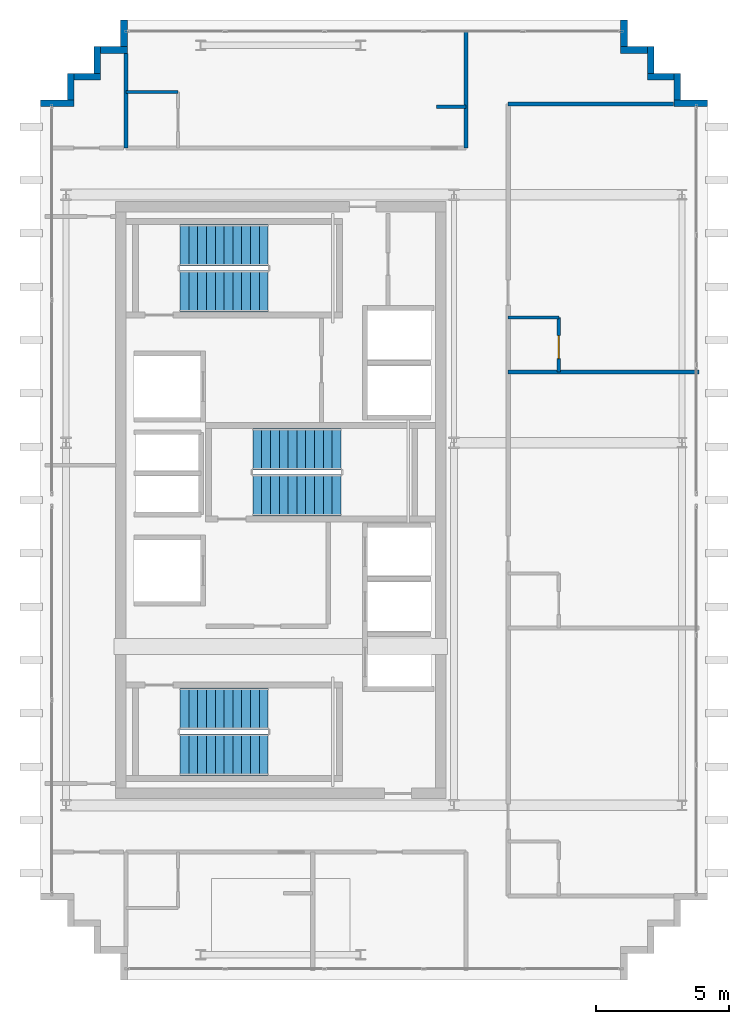
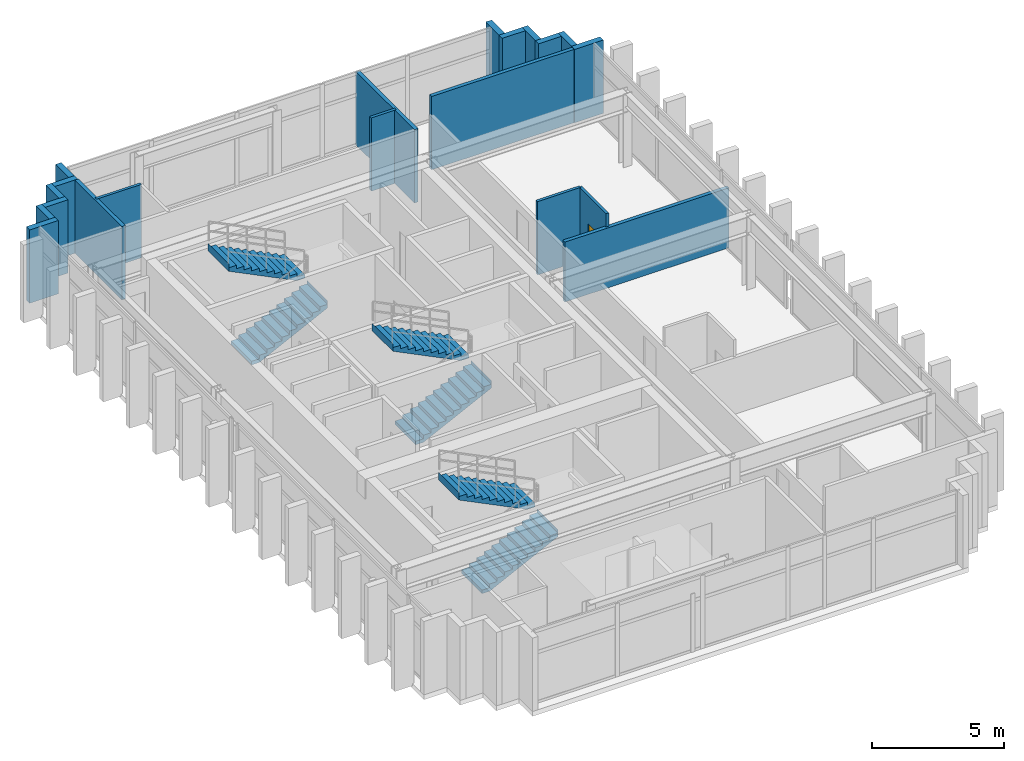
# One storey, part 14 of 15: 20 walls, 6 stair flights, 1 door, 1 opening, 3 elements without a shape of their own.
"""IFC4 building model written with IfcOpenShell, lengths in metres."""

from ifc_helpers import new_model, si_unit, direction, frame, frame_2d, origin, place, context, subcontext, project, spatial, polyline, rectangle, outline, extrude, source, transform, mapped, material, layer, layer_set, type_object, element, fill, aggregate, save


model = new_model("IFC4")

# Units and contexts
model_context = context("Model", 3, precision=1e-05, world=origin(), true_north=direction((0.0, 1.0)))
body_context = subcontext(model_context, "Body", "Model", "MODEL_VIEW")
ifc_project = project(units=[si_unit("LENGTHUNIT", "METRE"), si_unit("AREAUNIT", "SQUARE_METRE"), si_unit("VOLUMEUNIT", "CUBIC_METRE"), si_unit("PLANEANGLEUNIT", "RADIAN"), si_unit("MASSUNIT", "GRAM", prefix="KILO")], contexts=[model_context])

# Site, building, storey
site_placement = place(None, origin())
site = spatial("IfcSite", under=ifc_project, at=site_placement, CompositionType="ELEMENT")
building_placement = place(site_placement, origin())
building = spatial("IfcBuilding", under=site, at=building_placement, Name="Ocotamira Hotel", CompositionType="ELEMENT")
storey_placement = place(building_placement, frame((0.0, 0.0, 279.60009765625)))
storey = spatial("IfcBuildingStorey", under=building, at=storey_placement, Name="L71", CompositionType="ELEMENT", Elevation=279.60009765625)

# Walls
ifc_material_1 = material(Name="Precast concrete C45/55", Category="concrete")
ifc_layer_1 = layer(ifc_material_1, 0.25)
ifc_layer_set_1 = layer_set([ifc_layer_1], Name="Precast concrete C45/55")
wall_type_1 = type_object("IfcWallType", Name="WL-EXT-SER-250", PredefinedType="SOLIDWALL", material=ifc_layer_set_1)
wall_1_placement = place(storey_placement, frame((33.0, 40.875, 0.0), z_axis=(0.0, 0.0, 1.0), x_axis=(-1.0, 0.0, 0.0)))
element("IfcWall", 1, at=wall_1_placement, inside=storey, type_object=wall_type_1, Name="L71 Serrated Corner Wall 07", PredefinedType="SOLIDWALL", context=body_context, shape_type="SweptSolid", body=[
    extrude(rectangle(XDim=1.25, YDim=0.25, at=frame_2d((0.625, 0.0))), origin(), (0.0, 0.0, 1.0), 3.3798828125),
])
for number, where, z_axis, x_axis, name in (
    (2, (31.875, 41.0, 0.0), (0.0, 0.0, 1.0), (0.0, 1.0, 0.0), "L71 Serrated Corner Wall 08"),
    (3, (31.75, 41.875, 0.0), (0.0, 0.0, 1.0), (-1.0, 0.0, 0.0), "L71 Serrated Corner Wall 09"),
    (4, (30.875, 42.0, 0.0), (0.0, 0.0, 1.0), (0.0, 1.0, 0.0), "L71 Serrated Corner Wall 10"),
    (5, (30.75, 42.875, 0.0), (0.0, 0.0, 1.0), (-1.0, 0.0, 0.0), "L71 Serrated Corner Wall 11"),
    (6, (29.875, 43.0, 0.0), (0.0, 0.0, 1.0), (0.0, 1.0, 0.0), "L71 Serrated Corner Wall 12"),
    (7, (11.125, 44.0, 0.0), (0.0, 0.0, 1.0), (0.0, -1.0, 0.0), "L71 Serrated Corner Wall 13"),
    (8, (11.25, 42.875, 0.0), (0.0, 0.0, 1.0), (-1.0, 0.0, 0.0), "L71 Serrated Corner Wall 14"),
    (9, (10.125, 43.0, 0.0), (0.0, 0.0, 1.0), (0.0, -1.0, 0.0), "L71 Serrated Corner Wall 15"),
    (10, (10.25, 41.875, 0.0), (0.0, 0.0, 1.0), (-1.0, 0.0, 0.0), "L71 Serrated Corner Wall 16"),
    (11, (9.125, 42.0, 0.0), (0.0, 0.0, 1.0), (0.0, -1.0, 0.0), "L71 Serrated Corner Wall 17"),
):
    element("IfcWall", number, at=place(storey_placement, frame(where, z_axis=z_axis, x_axis=x_axis)), inside=storey, type_object=wall_type_1, Name=name, PredefinedType="SOLIDWALL", context=body_context, shape_type="SweptSolid", body=[
        extrude(rectangle(XDim=1.0, YDim=0.25, at=frame_2d((0.5, 0.0))), origin(), (0.0, 0.0, 1.0), 3.3798828125),
    ])
wall_2_placement = place(storey_placement, frame((9.25, 40.875, 0.0), z_axis=(0.0, 0.0, 1.0), x_axis=(-1.0, 0.0, 0.0)))
element("IfcWall", 12, at=wall_2_placement, inside=storey, type_object=wall_type_1, Name="L71 Serrated Corner Wall 18", PredefinedType="SOLIDWALL", context=body_context, shape_type="SweptSolid", body=[
    extrude(rectangle(XDim=1.25, YDim=0.25, at=frame_2d((0.625, 0.0))), origin(), (0.0, 0.0, 1.0), 3.3798828125),
])
ifc_material_2 = material(Name="Moisture-resistant en-suite tile and gypsum partition", Category="gypsum")
ifc_layer_2 = layer(ifc_material_2, 0.1201171875)
ifc_layer_set_2 = layer_set([ifc_layer_2], Name="Moisture-resistant en-suite tile and gypsum partition")
wall_type_2 = type_object("IfcWallType", Name="WL-PART-120", PredefinedType="PARTITIONING", material=ifc_layer_set_2)
wall_3_placement = place(storey_placement, frame((11.199951171875, 41.300048828125, 0.0), z_axis=(0.0, 0.0, 1.0), x_axis=(1.0, 0.0, 0.0)))
element("IfcWall", 13, at=wall_3_placement, inside=storey, type_object=wall_type_2, Name="L71 Interior Wall PW-L71-WP0N-BAN1", PredefinedType="PARTITIONING", context=body_context, shape_type="SweptSolid", body=[
    extrude(rectangle(XDim=1.949951171875, YDim=0.1201171875, at=frame_2d((0.97509765625, 0.0))), origin(), (0.0, 0.0, 1.0), 3.3798828125),
])
wall_4_placement = place(storey_placement, frame((22.85009765625, 40.75, 0.0), z_axis=(0.0, 0.0, 1.0), x_axis=(1.0, 0.0, 0.0)))
element("IfcWall", 14, at=wall_4_placement, inside=storey, type_object=wall_type_2, Name="L71 Interior Wall PW-L71-WP0N-DRN1", PredefinedType="PARTITIONING", context=body_context, shape_type="SweptSolid", body=[
    extrude(rectangle(XDim=1.099853515625, YDim=0.1201171875, at=frame_2d((0.5498046875, 0.0))), origin(), (0.0, 0.0, 1.0), 3.3798828125),
])

# Wall, opening, door
wall_5_placement = place(storey_placement, frame((27.429931640625, 30.800048828125, 0.0), z_axis=(0.0, 0.0, 1.0), x_axis=(0.0, 1.0, 0.0)))
wall_5 = element("IfcWall", 15, at=wall_5_placement, inside=storey, type_object=wall_type_2, Name="L71 Interior Wall PW-L71-WP-EBE3", PredefinedType="PARTITIONING", context=body_context, shape_type="SweptSolid", body=[
    extrude(rectangle(XDim=2.0400390625, YDim=0.1201171875, at=frame_2d((1.02001953125, 0.0))), origin(), (0.0, 0.0, 1.0), 3.3798828125),
])
opening_placement = place(wall_5_placement, frame((0.5, 0.0, 0.0)))
opening = element("IfcOpeningElement", 16, at=opening_placement, cuts=wall_5, Name="Opening D-BA1", PredefinedType="OPENING", context=body_context, shape_type="SweptSolid", body=[
    extrude(rectangle(XDim=0.860107421875, YDim=2.10009765625, at=frame_2d((0.43017578125, 1.050048828125))), frame((0.0, 0.070068359375, 0.0), z_axis=(0.0, -1.0, 0.0), x_axis=(1.0, 0.0, 0.0)), (0.0, 0.0, 1.0), 0.14013671875),
])
ifc_material_3 = material(Name="Moisture-sealed en-suite timber door", Category="wood")
door_type = type_object("IfcDoorType", Name="DR-BATH-860", OperationType="NOTDEFINED", PredefinedType="DOOR", material=ifc_material_3)
shared_shape_1 = source(origin(), body_context, "Body", "SweptSolid", [
    extrude(rectangle(XDim=0.860107421875, YDim=2.10009765625, at=frame_2d((0.43017578125, 1.050048828125))), frame((0.0, 0.02490234375, 0.0), z_axis=(0.0, -1.0, 0.0), x_axis=(1.0, 0.0, 0.0)), (0.0, 0.0, 1.0), 0.050048828125),
])
door_placement = place(opening_placement, origin())
door = element("IfcDoor", 17, at=door_placement, inside=storey, type_object=door_type, Name="L71 Door ID-L71-WP-EBD3 [ID-L71-WP-EBD3]", OperationType="SINGLE_SWING_LEFT", OverallHeight=2.10009765625, OverallWidth=0.860107421875, PredefinedType="DOOR", context=body_context, shape_type="MappedRepresentation", body=[
    mapped(shared_shape_1, transform((0.0, 0.0, 0.0), scale=1.0)),
])
fill(opening, door)

# Walls
wall_6_placement = place(storey_placement, frame((25.530029296875, 32.840087890625, 0.0), z_axis=(0.0, 0.0, 1.0), x_axis=(1.0, 0.0, 0.0)))
element("IfcWall", 18, at=wall_6_placement, inside=storey, type_object=wall_type_2, Name="L71 Interior Wall PW-L71-WP-EBN3", PredefinedType="PARTITIONING", context=body_context, shape_type="SweptSolid", body=[
    extrude(rectangle(XDim=1.89990234375, YDim=0.1201171875, at=frame_2d((0.949951171875, 0.0))), origin(), (0.0, 0.0, 1.0), 3.3798828125),
])
ifc_material_4 = material(Name="Acoustic double-stud hospitality gypsum partition", Category="gypsum")
ifc_layer_3 = layer(ifc_material_4, 0.159912109375)
ifc_layer_set_3 = layer_set([ifc_layer_3], Name="Acoustic double-stud hospitality gypsum partition")
wall_type_3 = type_object("IfcWallType", Name="WL-PART-160", PredefinedType="PARTITIONING", material=ifc_layer_set_3)
wall_7_placement = place(storey_placement, frame((11.199951171875, 39.199951171875, 0.0), z_axis=(0.0, 0.0, 1.0), x_axis=(0.0, 1.0, 0.0)))
element("IfcWall", 19, at=wall_7_placement, inside=storey, type_object=wall_type_3, Name="L71 Interior Wall PW-L71-WP0N-PW0", PredefinedType="PARTITIONING", context=body_context, shape_type="SweptSolid", body=[
    extrude(rectangle(XDim=3.5400390625, YDim=0.159912109375, at=frame_2d((1.77001953125, 0.0))), origin(), (0.0, 0.0, 1.0), 3.3798828125),
])
wall_8_placement = place(storey_placement, frame((23.949951171875, 39.199951171875, 0.0), z_axis=(0.0, 0.0, 1.0), x_axis=(0.0, 1.0, 0.0)))
element("IfcWall", 20, at=wall_8_placement, inside=storey, type_object=wall_type_3, Name="L71 Interior Wall PW-L71-WP0N-PWEND", PredefinedType="PARTITIONING", context=body_context, shape_type="SweptSolid", body=[
    extrude(rectangle(XDim=4.43994140625, YDim=0.159912109375, at=frame_2d((2.219970703125, 0.0))), origin(), (0.0, 0.0, 1.0), 3.3798828125),
])
wall_9_placement = place(storey_placement, frame((25.530029296875, 40.85009765625, 0.0), z_axis=(0.0, 0.0, 1.0), x_axis=(1.0, 0.0, 0.0)))
element("IfcWall", 21, at=wall_9_placement, inside=storey, type_object=wall_type_3, Name="L71 Interior Wall PW-L71-WP-EDIVN", PredefinedType="PARTITIONING", context=body_context, shape_type="SweptSolid", body=[
    extrude(rectangle(XDim=6.2099609375, YDim=0.159912109375, at=frame_2d((3.10498046875, 0.0))), origin(), (0.0, 0.0, 1.0), 3.3798828125),
])
wall_10_placement = place(storey_placement, frame((25.530029296875, 30.800048828125, 0.0), z_axis=(0.0, 0.0, 1.0), x_axis=(1.0, 0.0, 0.0)))
element("IfcWall", 22, at=wall_10_placement, inside=storey, type_object=wall_type_3, Name="L71 Interior Wall PW-L71-WP-EDIV2", PredefinedType="PARTITIONING", context=body_context, shape_type="SweptSolid", body=[
    extrude(rectangle(XDim=7.14990234375, YDim=0.159912109375, at=frame_2d((3.574951171875, 0.0))), origin(), (0.0, 0.0, 1.0), 2.762939453125),
])

# Stair, stair flights
ifc_material_5 = material(Name="Concrete C40/50", Category="concrete")
stair_type = type_object("IfcStairType", Name="ST-CORE-1560", PredefinedType="HALF_TURN_STAIR", material=ifc_material_5)
stair_1_placement = place(storey_placement, origin())
stair_1 = element("IfcStair", 23, at=stair_1_placement, inside=storey, type_object=stair_type, Name="L71 Exit Stair ST-1", PredefinedType="HALF_TURN_STAIR")
stair_flight_type = type_object("IfcStairFlightType", Name="STF-CORE-1560", PredefinedType="STRAIGHT", material=ifc_material_5)
shared_shape_2 = source(origin(), body_context, "Body", "SweptSolid", [
    extrude(outline(polyline([(-0.00390625, 0.0), (-0.00390625, 0.16357421875), (0.330078125, 0.16357421875), (0.330078125, 0.327392578125), (0.659912109375, 0.327392578125), (0.659912109375, 0.490966796875), (0.989990234375, 0.490966796875), (0.989990234375, 0.654541015625), (1.320068359375, 0.654541015625), (1.320068359375, 0.818115234375), (1.64990234375, 0.818115234375), (1.64990234375, 0.98193359375), (1.97998046875, 0.98193359375), (1.97998046875, 1.1455078125), (2.31005859375, 1.1455078125), (2.31005859375, 1.30908203125), (2.639892578125, 1.30908203125), (2.639892578125, 1.47265625), (2.969970703125, 1.47265625), (2.969970703125, 1.636474609375), (3.300048828125, 1.636474609375), (3.300048828125, 1.800048828125), (3.303955078125, 1.800048828125), (3.303955078125, 1.468994140625), (0.33740234375, 0.0), (-0.00390625, 0.0)])), frame((0.0, 0.780029296875, 0.0), z_axis=(0.0, -1.0, 0.0), x_axis=(1.0, 0.0, 0.0)), (0.0, 0.0, 1.0), 1.56005859375),
])
stair_flight_1_placement = place(storey_placement, frame((13.22998046875, 16.449951171875, 0.0), z_axis=(0.0, 0.0, 1.0), x_axis=(1.0, 0.0, 0.0)))
stair_flight_1 = element("IfcStairFlight", 24, at=stair_flight_1_placement, type_object=stair_flight_type, Name="ST-1 flight 1", NumberOfRisers=11, NumberOfTreads=10, PredefinedType="STRAIGHT", RiserHeight=0.163636364, TreadLength=0.33, context=body_context, shape_type="MappedRepresentation", body=[
    mapped(shared_shape_2, transform((0.0, 0.0, 0.0), scale=1.0)),
])
stair_flight_2_placement = place(storey_placement, frame((16.530029296875, 18.169921875, 1.7998046875), z_axis=(0.0, 0.0, 1.0), x_axis=(-1.0, 0.0, 0.0)))
stair_flight_2 = element("IfcStairFlight", 25, at=stair_flight_2_placement, type_object=stair_flight_type, Name="ST-1 flight 2", NumberOfRisers=11, NumberOfTreads=10, PredefinedType="STRAIGHT", RiserHeight=0.163636364, TreadLength=0.33, context=body_context, shape_type="MappedRepresentation", body=[
    mapped(shared_shape_2, transform((0.0, 0.0, 0.0), scale=1.0)),
])
aggregate(stair_1, [stair_flight_1, stair_flight_2])

stair_2_placement = place(storey_placement, origin())
stair_2 = element("IfcStair", 26, at=stair_2_placement, inside=storey, type_object=stair_type, Name="L71 Exit Stair ST-2", PredefinedType="HALF_TURN_STAIR")
stair_flight_3_placement = place(storey_placement, frame((13.22998046875, 33.830078125, 0.0), z_axis=(0.0, 0.0, 1.0), x_axis=(1.0, 0.0, 0.0)))
stair_flight_3 = element("IfcStairFlight", 27, at=stair_flight_3_placement, type_object=stair_flight_type, Name="ST-2 flight 1", NumberOfRisers=11, NumberOfTreads=10, PredefinedType="STRAIGHT", RiserHeight=0.163636364, TreadLength=0.33, context=body_context, shape_type="MappedRepresentation", body=[
    mapped(shared_shape_2, transform((0.0, 0.0, 0.0), scale=1.0)),
])
stair_flight_4_placement = place(storey_placement, frame((16.530029296875, 35.550048828125, 1.7998046875), z_axis=(0.0, 0.0, 1.0), x_axis=(-1.0, 0.0, 0.0)))
stair_flight_4 = element("IfcStairFlight", 28, at=stair_flight_4_placement, type_object=stair_flight_type, Name="ST-2 flight 2", NumberOfRisers=11, NumberOfTreads=10, PredefinedType="STRAIGHT", RiserHeight=0.163636364, TreadLength=0.33, context=body_context, shape_type="MappedRepresentation", body=[
    mapped(shared_shape_2, transform((0.0, 0.0, 0.0), scale=1.0)),
])
aggregate(stair_2, [stair_flight_3, stair_flight_4])

stair_3_placement = place(storey_placement, origin())
stair_3 = element("IfcStair", 29, at=stair_3_placement, inside=storey, type_object=stair_type, Name="L71 Exit Stair ST-3", PredefinedType="HALF_TURN_STAIR")
stair_flight_5_placement = place(storey_placement, frame((15.9599609375, 26.179931640625, 0.0), z_axis=(0.0, 0.0, 1.0), x_axis=(1.0, 0.0, 0.0)))
stair_flight_5 = element("IfcStairFlight", 30, at=stair_flight_5_placement, type_object=stair_flight_type, Name="ST-3 flight 1", NumberOfRisers=11, NumberOfTreads=10, PredefinedType="STRAIGHT", RiserHeight=0.163636364, TreadLength=0.33, context=body_context, shape_type="MappedRepresentation", body=[
    mapped(shared_shape_2, transform((0.0, 0.0, 0.0), scale=1.0)),
])
stair_flight_6_placement = place(storey_placement, frame((19.260009765625, 27.89990234375, 1.7998046875), z_axis=(0.0, 0.0, 1.0), x_axis=(-1.0, 0.0, 0.0)))
stair_flight_6 = element("IfcStairFlight", 31, at=stair_flight_6_placement, type_object=stair_flight_type, Name="ST-3 flight 2", NumberOfRisers=11, NumberOfTreads=10, PredefinedType="STRAIGHT", RiserHeight=0.163636364, TreadLength=0.33, context=body_context, shape_type="MappedRepresentation", body=[
    mapped(shared_shape_2, transform((0.0, 0.0, 0.0), scale=1.0)),
])
aggregate(stair_3, [stair_flight_5, stair_flight_6])

save(model, "model.ifc")
